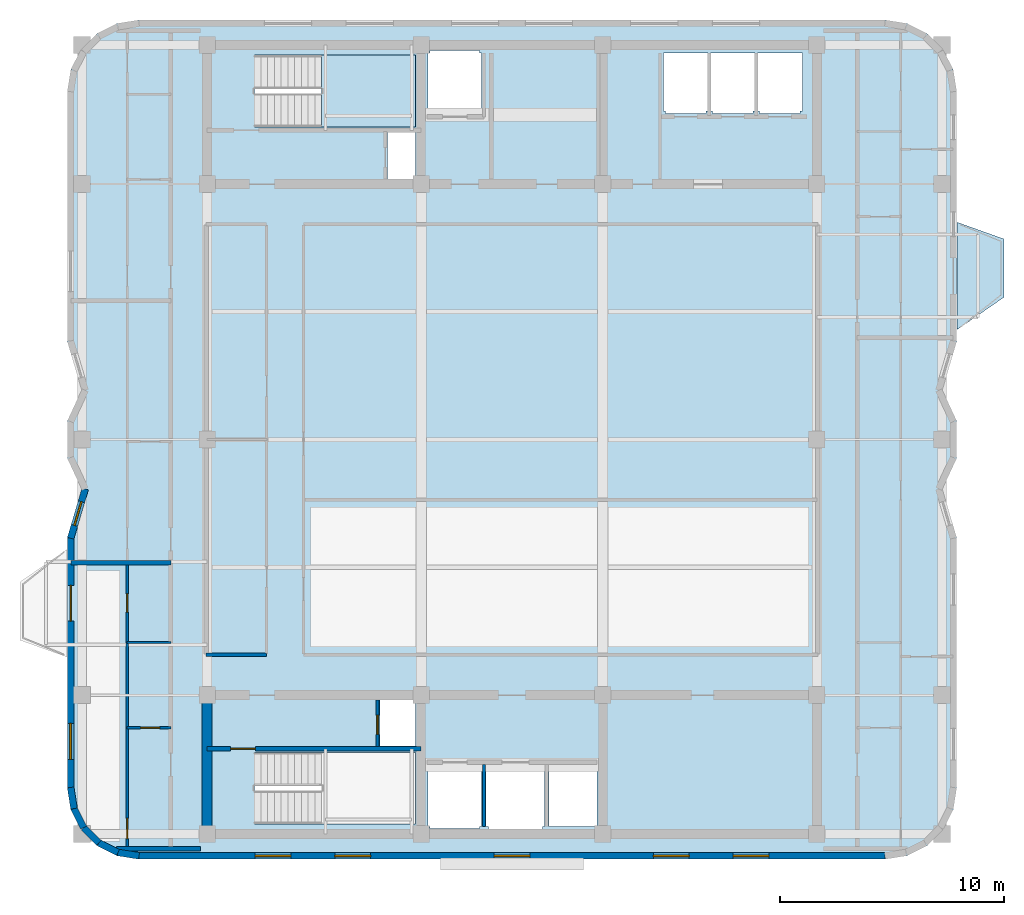
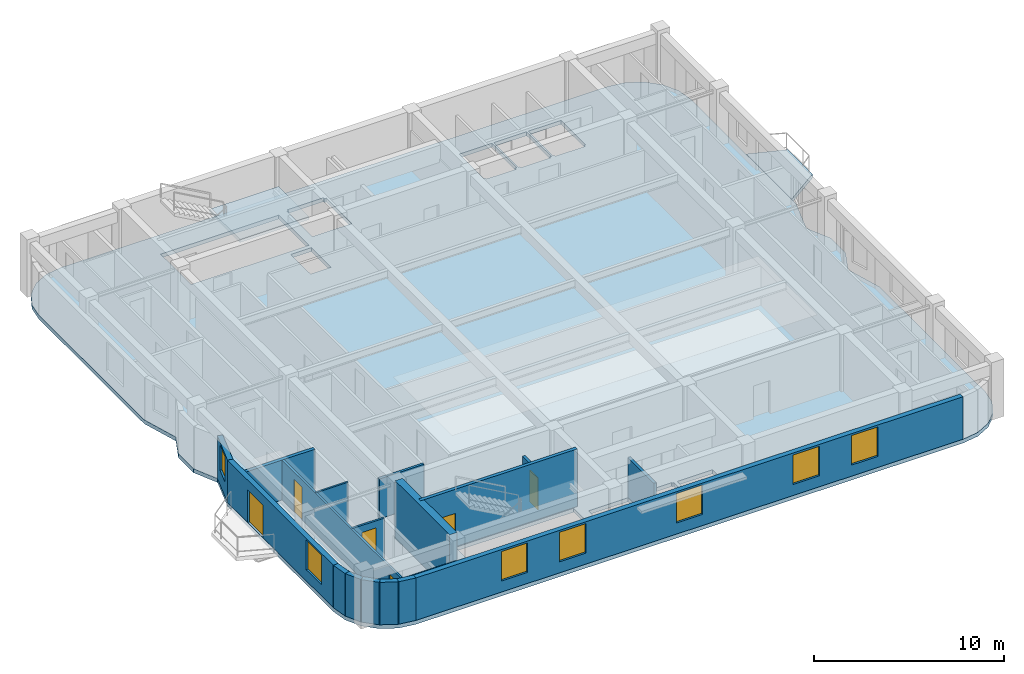
# One storey, part 2 of 8: 18 walls, 7 windows, 6 doors, 3 slabs, 13 openings, 1 element without a shape of its own.
"""IFC4 building model written with IfcOpenShell, lengths in metres."""

from ifc_helpers import new_model, si_unit, direction, frame, frame_2d, origin, place, context, subcontext, project, spatial, polyline, rectangle, outline, extrude, material, layer, layer_set, type_object, element, fill, aggregate, save


model = new_model("IFC4")

# Units and contexts
model_context = context("Model", 3, precision=1e-05, world=origin(), true_north=direction((0.0, 1.0)))
body_context = subcontext(model_context, "Body", "Model", "MODEL_VIEW")
ifc_project = project(units=[si_unit("LENGTHUNIT", "METRE"), si_unit("AREAUNIT", "SQUARE_METRE"), si_unit("VOLUMEUNIT", "CUBIC_METRE"), si_unit("PLANEANGLEUNIT", "RADIAN"), si_unit("MASSUNIT", "GRAM", prefix="KILO")], contexts=[model_context])

# Site, building, storey
site_placement = place(None, origin())
site = spatial("IfcSite", under=ifc_project, at=site_placement, CompositionType="ELEMENT")
building_placement = place(site_placement, origin())
building = spatial("IfcBuilding", under=site, at=building_placement, Name="Svetorya Sky Lyceum", CompositionType="ELEMENT")
storey_placement = place(building_placement, frame((0.0, 0.0, 282.39990234375)))
storey = spatial("IfcBuildingStorey", under=building, at=storey_placement, Name="L71", CompositionType="ELEMENT", Elevation=282.39990234375)

# Slab
ifc_material_1 = material(Name="Concrete C40/50", Category="concrete")
ifc_layer_1 = layer(ifc_material_1, 0.25)
ifc_layer_set_1 = layer_set([ifc_layer_1], Name="Concrete C40/50")
slab_type_1 = type_object("IfcSlabType", Name="SL-BAL-250", PredefinedType="FLOOR", material=ifc_layer_set_1)
slab_1_placement = place(storey_placement, frame((0.0, 0.0, -0.25)))
element("IfcSlab", 1, at=slab_1_placement, inside=storey, type_object=slab_type_1, Name="L71 Chamfered Loggia Balcony BAL-E1", PredefinedType="FLOOR", context=body_context, shape_type="SweptSolid", body=[
    extrude(outline(polyline([(59.050048828125, 33.10009765625), (61.14990234375, 34.550048828125), (61.14990234375, 37.14990234375), (59.050048828125, 37.89990234375), (59.050048828125, 33.10009765625)])), origin(), (0.0, 0.0, 1.0), 0.25),
])

# Stair, slab
stair_type = type_object("IfcStairType", Name="STR-ST-N", PredefinedType="HALF_TURN_STAIR", material=ifc_material_1)
stair_placement = place(storey_placement, origin())
stair = element("IfcStair", 2, at=stair_placement, inside=storey, type_object=stair_type, Name="L71 North Core Smoke-Free Exit Stair N3", PredefinedType="HALF_TURN_STAIR")
ifc_layer_2 = layer(ifc_material_1, 0.199951171875)
ifc_layer_set_2 = layer_set([ifc_layer_2], Name="Concrete C40/50")
slab_type_2 = type_object("IfcSlabType", Name="SL-STR-LAND-200", PredefinedType="LANDING", material=ifc_layer_set_2)
slab_2_placement = place(storey_placement, frame((0.0, 0.0, 1.650146484375)))
slab_2 = element("IfcSlab", 3, at=slab_2_placement, type_object=slab_type_2, Name="ST-N landing 1", PredefinedType="LANDING", context=body_context, shape_type="SweptSolid", body=[
    extrude(outline(polyline([(30.699951171875, 42.14990234375), (34.89990234375, 42.14990234375), (34.89990234375, 45.35009765625), (30.699951171875, 45.35009765625), (30.699951171875, 42.14990234375)])), origin(), (0.0, 0.0, 1.0), 0.199951171875),
])
aggregate(stair, [slab_2])

# Slab
ifc_layer_3 = layer(ifc_material_1, 0.25)
ifc_layer_set_3 = layer_set([ifc_layer_3], Name="Concrete C40/50")
slab_type_3 = type_object("IfcSlabType", Name="SL-TWR-250", PredefinedType="FLOOR", material=ifc_layer_set_3)
slab_3_placement = place(storey_placement, frame((0.0, 0.0, -0.25)))
element("IfcSlab", 4, at=slab_3_placement, inside=storey, type_object=slab_type_3, Name="L71 Structural Floor Slab", PredefinedType="FLOOR", context=body_context, shape_type="SweptSolid", body=[
    extrude(outline(polyline([(19.360107421875, 12.679931640625), (19.5166015625, 11.691162109375), (19.97119140625, 10.799072265625), (20.67919921875, 10.091064453125), (21.571044921875, 9.63671875), (22.56005859375, 9.47998046875), (55.840087890625, 9.47998046875), (56.828857421875, 9.63671875), (57.720947265625, 10.091064453125), (58.428955078125, 10.799072265625), (58.88330078125, 11.691162109375), (59.0400390625, 12.679931640625), (59.0400390625, 23.800048828125), (58.389892578125, 26.0), (59.0400390625, 27.39990234375), (59.0400390625, 29.0), (58.389892578125, 30.39990234375), (59.0400390625, 32.60009765625), (59.0400390625, 43.719970703125), (58.88330078125, 44.708984375), (58.428955078125, 45.600830078125), (57.720947265625, 46.308837890625), (56.828857421875, 46.763427734375), (55.840087890625, 46.919921875), (22.56005859375, 46.919921875), (21.571044921875, 46.763427734375), (20.67919921875, 46.308837890625), (19.97119140625, 45.600830078125), (19.5166015625, 44.708984375), (19.360107421875, 43.719970703125), (19.360107421875, 32.60009765625), (20.010009765625, 30.39990234375), (19.360107421875, 29.0), (19.360107421875, 27.39990234375), (20.010009765625, 26.0), (19.360107421875, 23.800048828125), (19.360107421875, 12.679931640625)]), holes=[polyline([(37.85009765625, 10.949951171875), (37.75, 10.949951171875), (37.75, 10.85009765625), (35.550048828125, 10.85009765625), (35.550048828125, 10.949951171875), (35.449951171875, 10.949951171875), (35.449951171875, 13.64990234375), (35.550048828125, 13.64990234375), (37.75, 13.64990234375), (37.85009765625, 13.64990234375), (37.85009765625, 10.949951171875)]), polyline([(38.14990234375, 10.800048828125), (38.14990234375, 10.949951171875), (38.050048828125, 10.949951171875), (38.050048828125, 13.64990234375), (38.14990234375, 13.64990234375), (38.14990234375, 13.699951171875), (40.550048828125, 13.699951171875), (40.550048828125, 13.64990234375), (40.64990234375, 13.64990234375), (40.64990234375, 10.949951171875), (40.550048828125, 10.949951171875), (40.550048828125, 10.800048828125), (38.14990234375, 10.800048828125)]), polyline([(27.719970703125, 11.050048828125), (27.719970703125, 14.25), (34.89990234375, 14.25), (34.89990234375, 11.050048828125), (27.719970703125, 11.050048828125)]), polyline([(33.300048828125, 14.52001953125), (33.300048828125, 16.580078125), (34.89990234375, 16.580078125), (34.89990234375, 14.52001953125), (33.300048828125, 14.52001953125)]), polyline([(33.64990234375, 39.820068359375), (33.64990234375, 41.89990234375), (34.89990234375, 41.89990234375), (34.89990234375, 39.820068359375), (33.64990234375, 39.820068359375)]), polyline([(27.719970703125, 42.14990234375), (27.719970703125, 45.35009765625), (34.89990234375, 45.35009765625), (34.89990234375, 42.14990234375), (27.719970703125, 42.14990234375)]), polyline([(37.75, 42.75), (35.550048828125, 42.75), (35.449951171875, 42.75), (35.449951171875, 45.449951171875), (35.550048828125, 45.449951171875), (35.550048828125, 45.550048828125), (37.75, 45.550048828125), (37.75, 45.449951171875), (37.85009765625, 45.449951171875), (37.85009765625, 42.75), (37.75, 42.75)]), polyline([(40.85009765625, 10.949951171875), (40.85009765625, 13.64990234375), (43.0, 13.64990234375), (43.0, 10.949951171875), (40.85009765625, 10.949951171875)]), polyline([(46.050048828125, 42.75), (46.050048828125, 42.85009765625), (45.949951171875, 42.85009765625), (45.949951171875, 45.449951171875), (46.050048828125, 45.449951171875), (47.85009765625, 45.449951171875), (47.949951171875, 45.449951171875), (47.949951171875, 42.85009765625), (47.85009765625, 42.85009765625), (47.85009765625, 42.75), (46.050048828125, 42.75)]), polyline([(50.050048828125, 42.85009765625), (49.949951171875, 42.85009765625), (49.949951171875, 42.75), (48.14990234375, 42.75), (48.14990234375, 42.85009765625), (48.050048828125, 42.85009765625), (48.050048828125, 45.449951171875), (48.14990234375, 45.449951171875), (49.949951171875, 45.449951171875), (50.050048828125, 45.449951171875), (50.050048828125, 42.85009765625)]), polyline([(52.14990234375, 42.85009765625), (52.050048828125, 42.85009765625), (52.050048828125, 42.75), (50.25, 42.75), (50.25, 42.85009765625), (50.14990234375, 42.85009765625), (50.14990234375, 45.449951171875), (50.25, 45.449951171875), (52.050048828125, 45.449951171875), (52.14990234375, 45.449951171875), (52.14990234375, 42.85009765625)])]), origin(), (0.0, 0.0, 1.0), 0.25),
])

# Walls
ifc_material_2 = material(Name="Concrete C50/60", Category="concrete")
ifc_layer_4 = layer(ifc_material_2, 0.449951171875)
ifc_layer_set_4 = layer_set([ifc_layer_4], Name="Concrete C50/60")
wall_type_1 = type_object("IfcWallType", Name="WL-CORE-450", PredefinedType="SHEAR", material=ifc_layer_set_4)
wall_1_placement = place(storey_placement, frame((25.60009765625, 10.824951171875, 0.0), z_axis=(0.0, 0.0, 1.0), x_axis=(0.0, 1.0, 0.0)))
element("IfcWall", 5, at=wall_1_placement, inside=storey, type_object=wall_type_1, Name="L71 SC West Core Shear Wall", PredefinedType="SHEAR", context=body_context, shape_type="SweptSolid", body=[
    extrude(rectangle(XDim=5.75, YDim=0.449951171875, at=frame_2d((2.875, 0.0))), origin(), (0.0, 0.0, 1.0), 3.7001953125),
])
ifc_material_3 = material(Name="Putilovo limestone rainscreen on autoclaved cellular masonry", Category="masonry")
ifc_layer_5 = layer(ifc_material_3, 0.300048828125)
ifc_layer_set_5 = layer_set([ifc_layer_5], Name="Putilovo limestone rainscreen on autoclaved cellular masonry")
wall_type_2 = type_object("IfcWallType", Name="WL-EXT-300", PredefinedType="SOLIDWALL", material=ifc_layer_set_5)
wall_2_placement = place(storey_placement, frame((19.510009765625, 12.679931640625, 0.0), z_axis=(0.0, 0.0, 1.0), x_axis=(0.156343617883, -0.987702725088, 0.0)))
element("IfcWall", 6, at=wall_2_placement, inside=storey, type_object=wall_type_2, Name="L71 Limestone Exterior Wall 1M", PredefinedType="SOLIDWALL", context=body_context, shape_type="SweptSolid", body=[
    extrude(rectangle(XDim=0.9541015625, YDim=0.300048828125, at=frame_2d((0.47705078125, 0.0))), origin(), (0.0, 0.0, 1.0), 2.72998046875),
])
for number, where, z_axis, x_axis, name in (
    (7, (19.6591796875, 11.737548828125, 0.0), (0.0, 0.0, 1.0), (0.454056065666, -0.890973113642, 0.0), "L71 Limestone Exterior Wall 2M"),
    (8, (20.092529296875, 10.88720703125, 0.0), (0.0, 0.0, 1.0), (0.707106781187, -0.707106781187, 0.0), "L71 Limestone Exterior Wall 3M"),
):
    element("IfcWall", number, at=place(storey_placement, frame(where, z_axis=z_axis, x_axis=x_axis)), inside=storey, type_object=wall_type_2, Name=name, PredefinedType="SOLIDWALL", context=body_context, shape_type="SweptSolid", body=[
        extrude(rectangle(XDim=0.954345703125, YDim=0.300048828125, at=frame_2d((0.47705078125, 0.0))), origin(), (0.0, 0.0, 1.0), 2.72998046875),
    ])
wall_3_placement = place(storey_placement, frame((20.767333984375, 10.21240234375, 0.0), z_axis=(0.0, 0.0, 1.0), x_axis=(0.891023873617, -0.45395644796, 0.0)))
element("IfcWall", 9, at=wall_3_placement, inside=storey, type_object=wall_type_2, Name="L71 Limestone Exterior Wall 4M", PredefinedType="SOLIDWALL", context=body_context, shape_type="SweptSolid", body=[
    extrude(rectangle(XDim=0.9541015625, YDim=0.300048828125, at=frame_2d((0.47705078125, 0.0))), origin(), (0.0, 0.0, 1.0), 2.72998046875),
])
wall_4_placement = place(storey_placement, frame((21.617431640625, 9.779296875, 0.0), z_axis=(0.0, 0.0, 1.0), x_axis=(0.987669453596, -0.156553666304, 0.0)))
element("IfcWall", 10, at=wall_4_placement, inside=storey, type_object=wall_type_2, Name="L71 Limestone Exterior Wall 5M", PredefinedType="SOLIDWALL", context=body_context, shape_type="SweptSolid", body=[
    extrude(rectangle(XDim=0.954345703125, YDim=0.300048828125, at=frame_2d((0.47705078125, 0.0))), origin(), (0.0, 0.0, 1.0), 2.72998046875),
])

# Wall, openings, windows
wall_5_placement = place(storey_placement, frame((22.56005859375, 9.6298828125, 0.0), z_axis=(0.0, 0.0, 1.0), x_axis=(1.0, 0.0, 0.0)))
wall_5 = element("IfcWall", 11, at=wall_5_placement, inside=storey, type_object=wall_type_2, Name="L71 Limestone Exterior Wall 6M", PredefinedType="SOLIDWALL", context=body_context, shape_type="SweptSolid", body=[
    extrude(rectangle(XDim=33.280029296875, YDim=0.300048828125, at=frame_2d((16.64013671875, 0.0))), origin(), (0.0, 0.0, 1.0), 2.72998046875),
])
opening_1_placement = place(wall_5_placement, frame((5.179931640625, 0.0, 0.7099609375)))
opening_1 = element("IfcOpeningElement", 12, at=opening_1_placement, cuts=wall_5, Name="Opening W-R4", PredefinedType="OPENING", context=body_context, shape_type="SweptSolid", body=[
    extrude(rectangle(XDim=1.60009765625, YDim=1.89990234375, at=frame_2d((0.800048828125, 0.949951171875))), frame((0.0, 0.159912109375, 0.0), z_axis=(0.0, -1.0, 0.0), x_axis=(1.0, 0.0, 0.0)), (0.0, 0.0, 1.0), 0.320068359375),
])
opening_2_placement = place(wall_5_placement, frame((8.7333984375, 0.0, 0.7099609375)))
opening_2 = element("IfcOpeningElement", 13, at=opening_2_placement, cuts=wall_5, Name="Opening W-R4", PredefinedType="OPENING", context=body_context, shape_type="SweptSolid", body=[
    extrude(rectangle(XDim=1.60009765625, YDim=1.89990234375, at=frame_2d((0.800048828125, 0.949951171875))), frame((0.0, 0.159912109375, 0.0), z_axis=(0.0, -1.0, 0.0), x_axis=(1.0, 0.0, 0.0)), (0.0, 0.0, 1.0), 0.320068359375),
])
opening_3_placement = place(wall_5_placement, frame((15.840087890625, 0.0, 0.7099609375)))
opening_3 = element("IfcOpeningElement", 14, at=opening_3_placement, cuts=wall_5, Name="Opening W-R4", PredefinedType="OPENING", context=body_context, shape_type="SweptSolid", body=[
    extrude(rectangle(XDim=1.60009765625, YDim=1.89990234375, at=frame_2d((0.800048828125, 0.949951171875))), frame((0.0, 0.159912109375, 0.0), z_axis=(0.0, -1.0, 0.0), x_axis=(1.0, 0.0, 0.0)), (0.0, 0.0, 1.0), 0.320068359375),
])
opening_4_placement = place(wall_5_placement, frame((22.94677734375, 0.0, 0.7099609375)))
opening_4 = element("IfcOpeningElement", 15, at=opening_4_placement, cuts=wall_5, Name="Opening W-R4", PredefinedType="OPENING", context=body_context, shape_type="SweptSolid", body=[
    extrude(rectangle(XDim=1.60009765625, YDim=1.89990234375, at=frame_2d((0.800048828125, 0.949951171875))), frame((0.0, 0.159912109375, 0.0), z_axis=(0.0, -1.0, 0.0), x_axis=(1.0, 0.0, 0.0)), (0.0, 0.0, 1.0), 0.320068359375),
])
opening_5_placement = place(wall_5_placement, frame((26.5, 0.0, 0.7099609375)))
opening_5 = element("IfcOpeningElement", 16, at=opening_5_placement, cuts=wall_5, Name="Opening W-R4", PredefinedType="OPENING", context=body_context, shape_type="SweptSolid", body=[
    extrude(rectangle(XDim=1.60009765625, YDim=1.89990234375, at=frame_2d((0.800048828125, 0.949951171875))), frame((0.0, 0.159912109375, 0.0), z_axis=(0.0, -1.0, 0.0), x_axis=(1.0, 0.0, 0.0)), (0.0, 0.0, 1.0), 0.320068359375),
])
ifc_material_4 = material(Name="Thermally broken aluminium frame with triple low-E glazing", Category="aluminium")
window_type_1 = type_object("IfcWindowType", Name="WN-RES-160", PartitioningType="DOUBLE_PANEL_VERTICAL", PredefinedType="WINDOW", material=ifc_material_4)
window_1_placement = place(opening_1_placement, origin())
window_1 = element("IfcWindow", 17, at=window_1_placement, inside=storey, type_object=window_type_1, Name="L71 Facade Window W-R4.6M.1", OverallHeight=1.89990234375, OverallWidth=1.60009765625, PartitioningType="SINGLE_PANEL", PredefinedType="WINDOW", context=body_context, shape_type="SweptSolid", body=[
    extrude(rectangle(XDim=1.60009765625, YDim=1.89990234375, at=frame_2d((0.800048828125, 0.949951171875))), frame((0.0, 0.030029296875, 0.0), z_axis=(0.0, -1.0, 0.0), x_axis=(1.0, 0.0, 0.0)), (0.0, 0.0, 1.0), 0.06005859375),
])
fill(opening_1, window_1)
window_2_placement = place(opening_2_placement, origin())
window_2 = element("IfcWindow", 18, at=window_2_placement, inside=storey, type_object=window_type_1, Name="L71 Facade Window W-R4.6M.2", OverallHeight=1.89990234375, OverallWidth=1.60009765625, PartitioningType="SINGLE_PANEL", PredefinedType="WINDOW", context=body_context, shape_type="SweptSolid", body=[
    extrude(rectangle(XDim=1.60009765625, YDim=1.89990234375, at=frame_2d((0.800048828125, 0.949951171875))), frame((0.0, 0.030029296875, 0.0), z_axis=(0.0, -1.0, 0.0), x_axis=(1.0, 0.0, 0.0)), (0.0, 0.0, 1.0), 0.06005859375),
])
fill(opening_2, window_2)
window_3_placement = place(opening_3_placement, origin())
window_3 = element("IfcWindow", 19, at=window_3_placement, inside=storey, type_object=window_type_1, Name="L71 Facade Window W-R4.6M.3", OverallHeight=1.89990234375, OverallWidth=1.60009765625, PartitioningType="SINGLE_PANEL", PredefinedType="WINDOW", context=body_context, shape_type="SweptSolid", body=[
    extrude(rectangle(XDim=1.60009765625, YDim=1.89990234375, at=frame_2d((0.800048828125, 0.949951171875))), frame((0.0, 0.030029296875, 0.0), z_axis=(0.0, -1.0, 0.0), x_axis=(1.0, 0.0, 0.0)), (0.0, 0.0, 1.0), 0.06005859375),
])
fill(opening_3, window_3)
window_4_placement = place(opening_4_placement, origin())
window_4 = element("IfcWindow", 20, at=window_4_placement, inside=storey, type_object=window_type_1, Name="L71 Facade Window W-R4.6M.4", OverallHeight=1.89990234375, OverallWidth=1.60009765625, PartitioningType="SINGLE_PANEL", PredefinedType="WINDOW", context=body_context, shape_type="SweptSolid", body=[
    extrude(rectangle(XDim=1.60009765625, YDim=1.89990234375, at=frame_2d((0.800048828125, 0.949951171875))), frame((0.0, 0.030029296875, 0.0), z_axis=(0.0, -1.0, 0.0), x_axis=(1.0, 0.0, 0.0)), (0.0, 0.0, 1.0), 0.06005859375),
])
fill(opening_4, window_4)
window_5_placement = place(opening_5_placement, origin())
window_5 = element("IfcWindow", 21, at=window_5_placement, inside=storey, type_object=window_type_1, Name="L71 Facade Window W-R4.6M.5", OverallHeight=1.89990234375, OverallWidth=1.60009765625, PartitioningType="SINGLE_PANEL", PredefinedType="WINDOW", context=body_context, shape_type="SweptSolid", body=[
    extrude(rectangle(XDim=1.60009765625, YDim=1.89990234375, at=frame_2d((0.800048828125, 0.949951171875))), frame((0.0, 0.030029296875, 0.0), z_axis=(0.0, -1.0, 0.0), x_axis=(1.0, 0.0, 0.0)), (0.0, 0.0, 1.0), 0.06005859375),
])
fill(opening_5, window_5)

# Wall, opening, window
wall_6_placement = place(storey_placement, frame((20.159912109375, 26.0, 0.0), z_axis=(0.0, 0.0, 1.0), x_axis=(-0.283312771328, -0.959027566654, 0.0)))
wall_6 = element("IfcWall", 22, at=wall_6_placement, inside=storey, type_object=wall_type_2, Name="L71 Limestone Exterior Wall 35M", PredefinedType="SOLIDWALL", context=body_context, shape_type="SweptSolid", body=[
    extrude(rectangle(XDim=2.2939453125, YDim=0.300048828125, at=frame_2d((1.14697265625, 0.0))), origin(), (0.0, 0.0, 1.0), 2.72998046875),
])
opening_6_placement = place(wall_6_placement, frame((0.596923828125, 0.0, 0.919921875)))
opening_6 = element("IfcOpeningElement", 23, at=opening_6_placement, cuts=wall_6, Name="Opening W-R3", PredefinedType="OPENING", context=body_context, shape_type="SweptSolid", body=[
    extrude(rectangle(XDim=1.10009765625, YDim=1.64990234375, at=frame_2d((0.550048828125, 0.824951171875))), frame((0.0, 0.159912109375, 0.0), z_axis=(0.0, -1.0, 0.0), x_axis=(1.0, 0.0, 0.0)), (0.0, 0.0, 1.0), 0.320068359375),
])
window_type_2 = type_object("IfcWindowType", Name="WN-RES-110", PartitioningType="SINGLE_PANEL", PredefinedType="WINDOW", material=ifc_material_4)
window_6_placement = place(opening_6_placement, origin())
window_6 = element("IfcWindow", 24, at=window_6_placement, inside=storey, type_object=window_type_2, Name="L71 Facade Window W-R3.35M.1", OverallHeight=1.64990234375, OverallWidth=1.10009765625, PartitioningType="SINGLE_PANEL", PredefinedType="WINDOW", context=body_context, shape_type="SweptSolid", body=[
    extrude(rectangle(XDim=1.10009765625, YDim=1.64990234375, at=frame_2d((0.550048828125, 0.824951171875))), frame((0.0, 0.030029296875, 0.0), z_axis=(0.0, -1.0, 0.0), x_axis=(1.0, 0.0, 0.0)), (0.0, 0.0, 1.0), 0.06005859375),
])
fill(opening_6, window_6)

# Wall, openings, door, window
wall_7_placement = place(storey_placement, frame((19.510009765625, 23.800048828125, 0.0), z_axis=(0.0, 0.0, 1.0), x_axis=(0.0, -1.0, 0.0)))
wall_7 = element("IfcWall", 25, at=wall_7_placement, inside=storey, type_object=wall_type_2, Name="L71 Limestone Exterior Wall 36M", PredefinedType="SOLIDWALL", context=body_context, shape_type="SweptSolid", body=[
    extrude(rectangle(XDim=11.1201171875, YDim=0.300048828125, at=frame_2d((5.56005859375, 0.0))), origin(), (0.0, 0.0, 1.0), 2.72998046875),
])
opening_7_placement = place(wall_7_placement, frame((2.10009765625, 0.0, 0.0)))
opening_7 = element("IfcOpeningElement", 26, at=opening_7_placement, cuts=wall_7, Name="Opening D-BL1", PredefinedType="OPENING", context=body_context, shape_type="SweptSolid", body=[
    extrude(rectangle(XDim=1.60009765625, YDim=2.10009765625, at=frame_2d((0.800048828125, 1.050048828125))), frame((0.0, 0.159912109375, 0.0), z_axis=(0.0, -1.0, 0.0), x_axis=(1.0, 0.0, 0.0)), (0.0, 0.0, 1.0), 0.320068359375),
])
opening_8_placement = place(wall_7_placement, frame((8.264892578125, 0.0, 0.7099609375)))
opening_8 = element("IfcOpeningElement", 27, at=opening_8_placement, cuts=wall_7, Name="Opening W-R4", PredefinedType="OPENING", context=body_context, shape_type="SweptSolid", body=[
    extrude(rectangle(XDim=1.60009765625, YDim=1.89990234375, at=frame_2d((0.800048828125, 0.949951171875))), frame((0.0, 0.159912109375, 0.0), z_axis=(0.0, -1.0, 0.0), x_axis=(1.0, 0.0, 0.0)), (0.0, 0.0, 1.0), 0.320068359375),
])
ifc_material_5 = material(Name="Insulated glazed aluminium balcony door", Category="aluminium")
door_type_1 = type_object("IfcDoorType", Name="DR-BAL-1600", OperationType="DOUBLE_DOOR_SINGLE_SWING", PredefinedType="DOOR", material=ifc_material_5)
door_1_placement = place(opening_7_placement, origin())
door_1 = element("IfcDoor", 28, at=door_1_placement, inside=storey, type_object=door_type_1, Name="L71 Balcony BAL-W1 Door", OperationType="DOUBLE_DOOR_SINGLE_SWING", OverallHeight=2.10009765625, OverallWidth=1.60009765625, PredefinedType="DOOR", context=body_context, shape_type="SweptSolid", body=[
    extrude(rectangle(XDim=1.60009765625, YDim=2.10009765625, at=frame_2d((0.800048828125, 1.050048828125))), frame((0.0, 0.02490234375, 0.0), z_axis=(0.0, -1.0, 0.0), x_axis=(1.0, 0.0, 0.0)), (0.0, 0.0, 1.0), 0.050048828125),
])
fill(opening_7, door_1)
window_7_placement = place(opening_8_placement, origin())
window_7 = element("IfcWindow", 29, at=window_7_placement, inside=storey, type_object=window_type_1, Name="L71 Facade Window W-R4.36M.1", OverallHeight=1.89990234375, OverallWidth=1.60009765625, PartitioningType="SINGLE_PANEL", PredefinedType="WINDOW", context=body_context, shape_type="SweptSolid", body=[
    extrude(rectangle(XDim=1.60009765625, YDim=1.89990234375, at=frame_2d((0.800048828125, 0.949951171875))), frame((0.0, 0.030029296875, 0.0), z_axis=(0.0, -1.0, 0.0), x_axis=(1.0, 0.0, 0.0)), (0.0, 0.0, 1.0), 0.06005859375),
])
fill(opening_8, window_7)

# Wall
ifc_material_6 = material(Name="Galvanized stud partition with moisture-resistant board", Category="gypsum")
ifc_layer_6 = layer(ifc_material_6, 0.10009765625)
ifc_layer_set_6 = layer_set([ifc_layer_6], Name="Galvanized stud partition with moisture-resistant board")
wall_type_3 = type_object("IfcWallType", Name="WL-PART-100", PredefinedType="PARTITIONING", material=ifc_layer_set_6)
wall_8_placement = place(storey_placement, frame((22.030029296875, 19.14990234375, 0.0), z_axis=(0.0, 0.0, 1.0), x_axis=(1.0, 0.0, 0.0)))
element("IfcWall", 30, at=wall_8_placement, inside=storey, type_object=wall_type_3, Name="L71 Interior Partition W1-WH2", PredefinedType="PARTITIONING", context=body_context, shape_type="SweptSolid", body=[
    extrude(rectangle(XDim=1.949951171875, YDim=0.10009765625, at=frame_2d((0.97509765625, 0.0))), origin(), (0.0, 0.0, 1.0), 2.56005859375),
])

# Wall, opening, door
ifc_material_7 = material(Name="Twin-stud galvanized framing with double fireboard", Category="gypsum")
ifc_layer_7 = layer(ifc_material_7, 0.1201171875)
ifc_layer_set_7 = layer_set([ifc_layer_7], Name="Twin-stud galvanized framing with double fireboard")
wall_type_4 = type_object("IfcWallType", Name="WL-PART-120", PredefinedType="PARTITIONING", material=ifc_layer_set_7)
wall_9_placement = place(storey_placement, frame((22.030029296875, 15.35009765625, 0.0), z_axis=(0.0, 0.0, 1.0), x_axis=(1.0, 0.0, 0.0)))
wall_9 = element("IfcWall", 31, at=wall_9_placement, inside=storey, type_object=wall_type_4, Name="L71 Interior Partition W1-WH1", PredefinedType="PARTITIONING", context=body_context, shape_type="SweptSolid", body=[
    extrude(rectangle(XDim=1.949951171875, YDim=0.1201171875, at=frame_2d((0.97509765625, 0.0))), origin(), (0.0, 0.0, 1.0), 2.56005859375),
])
opening_9_placement = place(wall_9_placement, frame((0.60009765625, 0.0, 0.0)))
opening_9 = element("IfcOpeningElement", 32, at=opening_9_placement, cuts=wall_9, Name="Opening D-BT1", PredefinedType="OPENING", context=body_context, shape_type="SweptSolid", body=[
    extrude(rectangle(XDim=0.85009765625, YDim=2.10009765625, at=frame_2d((0.425048828125, 1.050048828125))), frame((0.0, 0.070068359375, 0.0), z_axis=(0.0, -1.0, 0.0), x_axis=(1.0, 0.0, 0.0)), (0.0, 0.0, 1.0), 0.14013671875),
])
ifc_material_8 = material(Name="Moisture-resistant laminate bathroom door")
door_type_2 = type_object("IfcDoorType", Name="DR-WET-850", OperationType="SINGLE_SWING_LEFT", PredefinedType="DOOR", material=ifc_material_8)
door_2_placement = place(opening_9_placement, origin())
door_2 = element("IfcDoor", 33, at=door_2_placement, inside=storey, type_object=door_type_2, Name="Apartment W1 Bathroom Door", OperationType="SINGLE_SWING_LEFT", OverallHeight=2.10009765625, OverallWidth=0.85009765625, PredefinedType="DOOR", context=body_context, shape_type="SweptSolid", body=[
    extrude(rectangle(XDim=0.85009765625, YDim=2.10009765625, at=frame_2d((0.425048828125, 1.050048828125))), frame((0.0, 0.02490234375, 0.0), z_axis=(0.0, -1.0, 0.0), x_axis=(1.0, 0.0, 0.0)), (0.0, 0.0, 1.0), 0.050048828125),
])
fill(opening_9, door_2)

# Wall, openings, doors
wall_10_placement = place(storey_placement, frame((22.030029296875, 9.989990234375, 0.0), z_axis=(0.0, 0.0, 1.0), x_axis=(0.0, 1.0, 0.0)))
wall_10 = element("IfcWall", 34, at=wall_10_placement, inside=storey, type_object=wall_type_4, Name="L71 Interior Partition W1-WV", PredefinedType="PARTITIONING", context=body_context, shape_type="SweptSolid", body=[
    extrude(rectangle(XDim=12.669921875, YDim=0.1201171875, at=frame_2d((6.3349609375, 0.0))), origin(), (0.0, 0.0, 1.0), 2.56005859375),
])
opening_10_placement = place(wall_10_placement, frame((0.409912109375, 0.0, 0.0)))
opening_10 = element("IfcOpeningElement", 35, at=opening_10_placement, cuts=wall_10, Name="Opening D-RM1", PredefinedType="OPENING", context=body_context, shape_type="SweptSolid", body=[
    extrude(rectangle(XDim=0.89990234375, YDim=2.10009765625, at=frame_2d((0.449951171875, 1.050048828125))), frame((0.0, 0.070068359375, 0.0), z_axis=(0.0, -1.0, 0.0), x_axis=(1.0, 0.0, 0.0)), (0.0, 0.0, 1.0), 0.14013671875),
])
opening_11_placement = place(wall_10_placement, frame((10.510009765625, 0.0, 0.0)))
opening_11 = element("IfcOpeningElement", 36, at=opening_11_placement, cuts=wall_10, Name="Opening D-BT2", PredefinedType="OPENING", context=body_context, shape_type="SweptSolid", body=[
    extrude(rectangle(XDim=0.820068359375, YDim=2.080078125, at=frame_2d((0.41015625, 1.0400390625))), frame((0.0, 0.070068359375, 0.0), z_axis=(0.0, -1.0, 0.0), x_axis=(1.0, 0.0, 0.0)), (0.0, 0.0, 1.0), 0.14013671875),
])
ifc_material_9 = material(Name="Lacquered birch veneer internal door")
door_type_3 = type_object("IfcDoorType", Name="DR-INT-900", OperationType="SINGLE_SWING_LEFT", PredefinedType="DOOR", material=ifc_material_9)
door_3_placement = place(opening_10_placement, origin())
door_3 = element("IfcDoor", 37, at=door_3_placement, inside=storey, type_object=door_type_3, Name="Apartment W1 Living Door", OperationType="SINGLE_SWING_RIGHT", OverallHeight=2.10009765625, OverallWidth=0.89990234375, PredefinedType="DOOR", context=body_context, shape_type="SweptSolid", body=[
    extrude(rectangle(XDim=0.89990234375, YDim=2.10009765625, at=frame_2d((0.449951171875, 1.050048828125))), frame((0.0, 0.02490234375, 0.0), z_axis=(0.0, -1.0, 0.0), x_axis=(1.0, 0.0, 0.0)), (0.0, 0.0, 1.0), 0.050048828125),
])
fill(opening_10, door_3)
ifc_material_10 = material(Name="Compact moisture-resistant laminate closet door")
door_type_4 = type_object("IfcDoorType", Name="DR-WET-820", OperationType="SINGLE_SWING_LEFT", PredefinedType="DOOR", material=ifc_material_10)
door_4_placement = place(opening_11_placement, origin())
door_4 = element("IfcDoor", 38, at=door_4_placement, inside=storey, type_object=door_type_4, Name="Apartment W1 Study Door", OperationType="SINGLE_SWING_LEFT", OverallHeight=2.080078125, OverallWidth=0.820068359375, PredefinedType="DOOR", context=body_context, shape_type="SweptSolid", body=[
    extrude(rectangle(XDim=0.820068359375, YDim=2.080078125, at=frame_2d((0.41015625, 1.0400390625))), frame((0.0, 0.02490234375, 0.0), z_axis=(0.0, -1.0, 0.0), x_axis=(1.0, 0.0, 0.0)), (0.0, 0.0, 1.0), 0.050048828125),
])
fill(opening_11, door_4)

# Wall, opening, door
ifc_material_11 = material(Name="Autoclaved cellular masonry blockwork with acoustic render", Category="masonry")
ifc_layer_8 = layer(ifc_material_11, 0.14990234375)
ifc_layer_set_8 = layer_set([ifc_layer_8], Name="Autoclaved cellular masonry blockwork with acoustic render")
wall_type_5 = type_object("IfcWallType", Name="WL-PART-150", PredefinedType="PARTITIONING", material=ifc_layer_set_8)
wall_11_placement = place(storey_placement, frame((33.199951171875, 14.5, 0.0), z_axis=(0.0, 0.0, 1.0), x_axis=(0.0, 1.0, 0.0)))
wall_11 = element("IfcWall", 39, at=wall_11_placement, inside=storey, type_object=wall_type_5, Name="L71 Interior Partition SC-AIRDIV", PredefinedType="PARTITIONING", context=body_context, shape_type="SweptSolid", body=[
    extrude(rectangle(XDim=2.080078125, YDim=0.14990234375, at=frame_2d((1.0400390625, 0.0))), origin(), (0.0, 0.0, 1.0), 2.56005859375),
])
opening_12_placement = place(wall_11_placement, frame((0.550048828125, 0.0, 0.0)))
opening_12 = element("IfcOpeningElement", 40, at=opening_12_placement, cuts=wall_11, Name="Opening D-SH1", PredefinedType="OPENING", context=body_context, shape_type="SweptSolid", body=[
    extrude(rectangle(XDim=0.85009765625, YDim=2.050048828125, at=frame_2d((0.425048828125, 1.02490234375))), frame((0.0, 0.0849609375, 0.0), z_axis=(0.0, -1.0, 0.0), x_axis=(1.0, 0.0, 0.0)), (0.0, 0.0, 1.0), 0.169921875),
])
ifc_material_12 = material(Name="Insulated galvanized riser inspection fire door")
door_type_5 = type_object("IfcDoorType", Name="DR-SHFT-850", OperationType="SINGLE_SWING_LEFT", PredefinedType="TRAPDOOR", material=ifc_material_12)
door_5_placement = place(opening_12_placement, origin())
door_5 = element("IfcDoor", 41, at=door_5_placement, inside=storey, type_object=door_type_5, Name="L71 South Riser Access Door", OperationType="SINGLE_SWING_RIGHT", OverallHeight=2.050048828125, OverallWidth=0.85009765625, PredefinedType="TRAPDOOR", context=body_context, shape_type="SweptSolid", body=[
    extrude(rectangle(XDim=0.85009765625, YDim=2.050048828125, at=frame_2d((0.425048828125, 1.02490234375))), frame((0.0, 0.02490234375, 0.0), z_axis=(0.0, -1.0, 0.0), x_axis=(1.0, 0.0, 0.0)), (0.0, 0.0, 1.0), 0.050048828125),
])
fill(opening_12, door_5)

# Walls
wall_12_placement = place(storey_placement, frame((37.949951171875, 10.949951171875, 0.0), z_axis=(0.0, 0.0, 1.0), x_axis=(0.0, 1.0, 0.0)))
element("IfcWall", 42, at=wall_12_placement, inside=storey, type_object=wall_type_5, Name="L71 Interior Partition SC-SHD1", PredefinedType="PARTITIONING", context=body_context, shape_type="SweptSolid", body=[
    extrude(rectangle(XDim=2.75, YDim=0.14990234375, at=frame_2d((1.375, 0.0))), origin(), (0.0, 0.0, 1.0), 2.56005859375),
])
wall_13_placement = place(storey_placement, frame((25.550048828125, 18.60009765625, 0.0), z_axis=(0.0, 0.0, 1.0), x_axis=(1.0, 0.0, 0.0)))
element("IfcWall", 43, at=wall_13_placement, inside=storey, type_object=wall_type_5, Name="L71 Interior Partition OFF-CS-W", PredefinedType="PARTITIONING", context=body_context, shape_type="SweptSolid", body=[
    extrude(rectangle(XDim=2.699951171875, YDim=0.14990234375, at=frame_2d((1.35009765625, 0.0))), origin(), (0.0, 0.0, 1.0), 2.56005859375),
])
ifc_material_13 = material(Name="Autoclaved cellular masonry blockwork with gypsum plaster", Category="masonry")
ifc_layer_9 = layer(ifc_material_13, 0.199951171875)
ifc_layer_set_9 = layer_set([ifc_layer_9], Name="Autoclaved cellular masonry blockwork with gypsum plaster")
wall_type_6 = type_object("IfcWallType", Name="WL-PART-200", PredefinedType="PARTITIONING", material=ifc_layer_set_9)
wall_14_placement = place(storey_placement, frame((19.530029296875, 22.699951171875, 0.0), z_axis=(0.0, 0.0, 1.0), x_axis=(1.0, 0.0, 0.0)))
element("IfcWall", 44, at=wall_14_placement, inside=storey, type_object=wall_type_6, Name="L71 Interior Partition W-PARTY-1", PredefinedType="PARTITIONING", context=body_context, shape_type="SweptSolid", body=[
    extrude(rectangle(XDim=4.449951171875, YDim=0.199951171875, at=frame_2d((2.22509765625, 0.0))), origin(), (0.0, 0.0, 1.0), 2.56005859375),
])
wall_15_placement = place(storey_placement, frame((21.5458984375, 9.949951171875, 0.0), z_axis=(0.0, 0.0, 1.0), x_axis=(1.0, 0.0, 0.0)))
element("IfcWall", 45, at=wall_15_placement, inside=storey, type_object=wall_type_6, Name="L71 Interior Partition W-CAP-S", PredefinedType="PARTITIONING", context=body_context, shape_type="SweptSolid", body=[
    extrude(rectangle(XDim=3.754150390625, YDim=0.199951171875, at=frame_2d((1.876953125, 0.0))), origin(), (0.0, 0.0, 1.0), 2.56005859375),
])

# Wall, opening, door
ifc_layer_10 = layer(ifc_material_2, 0.199951171875)
ifc_layer_set_10 = layer_set([ifc_layer_10], Name="Concrete C50/60")
wall_type_7 = type_object("IfcWallType", Name="WL-SHW-200", PredefinedType="SHEAR", material=ifc_layer_set_10)
wall_16_placement = place(storey_placement, frame((25.60009765625, 14.39990234375, 0.0), z_axis=(0.0, 0.0, 1.0), x_axis=(1.0, 0.0, 0.0)))
wall_16 = element("IfcWall", 46, at=wall_16_placement, inside=storey, type_object=wall_type_7, Name="L71 Structural Stair Shaft Wall SC-STW", PredefinedType="SHEAR", context=body_context, shape_type="SweptSolid", body=[
    extrude(rectangle(XDim=9.5498046875, YDim=0.199951171875, at=frame_2d((4.77490234375, 0.0))), origin(), (0.0, 0.0, 1.0), 3.7001953125),
])
opening_13_placement = place(wall_16_placement, frame((1.050048828125, 0.0, 0.0)))
opening_13 = element("IfcOpeningElement", 47, at=opening_13_placement, cuts=wall_16, Name="Opening D-ST1", PredefinedType="OPENING", context=body_context, shape_type="SweptSolid", body=[
    extrude(rectangle(XDim=1.10009765625, YDim=2.14990234375, at=frame_2d((0.550048828125, 1.074951171875))), frame((0.0, 0.10986328125, 0.0), z_axis=(0.0, -1.0, 0.0), x_axis=(1.0, 0.0, 0.0)), (0.0, 0.0, 1.0), 0.219970703125),
])
ifc_material_14 = material(Name="Powder-coated insulated galvanized stair fire door")
door_type_6 = type_object("IfcDoorType", Name="DR-FIRE-1100", OperationType="SINGLE_SWING_LEFT", PredefinedType="DOOR", material=ifc_material_14)
door_6_placement = place(opening_13_placement, origin())
door_6 = element("IfcDoor", 48, at=door_6_placement, inside=storey, type_object=door_type_6, Name="L71 Stair ST-S Vestibule Fire Door", OperationType="SINGLE_SWING_LEFT", OverallHeight=2.14990234375, OverallWidth=1.10009765625, PredefinedType="DOOR", context=body_context, shape_type="SweptSolid", body=[
    extrude(rectangle(XDim=1.10009765625, YDim=2.14990234375, at=frame_2d((0.550048828125, 1.074951171875))), frame((0.0, 0.02490234375, 0.0), z_axis=(0.0, -1.0, 0.0), x_axis=(1.0, 0.0, 0.0)), (0.0, 0.0, 1.0), 0.050048828125),
])
fill(opening_13, door_6)

save(model, "model.ifc")
